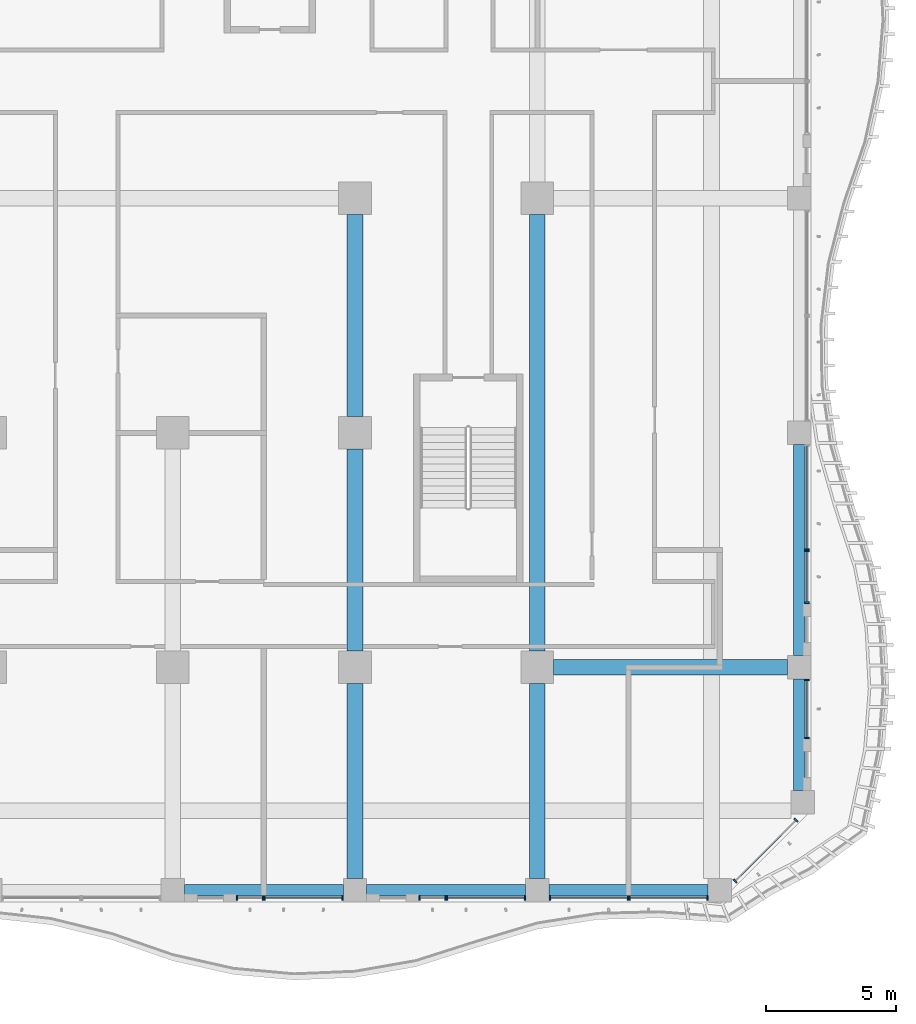
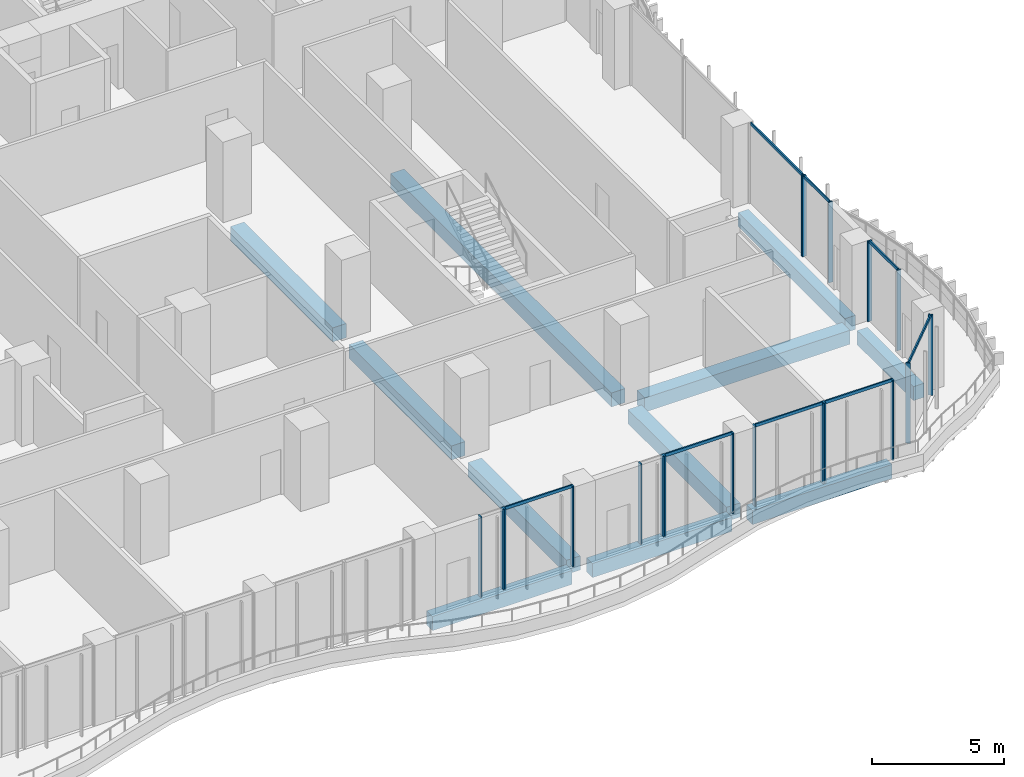
# One storey, part 6 of 28: 27 members, 11 beams, 10 elements without a shape of their own.
"""IFC4 building model written with IfcOpenShell, lengths in metres."""

from ifc_helpers import new_model, si_unit, direction, frame, origin, origin_2d, place, context, subcontext, project, spatial, rectangle, extrude, source, transform, mapped, material, material_profile, profile_set, type_object, element, aggregate, save


model = new_model("IFC4")

# Units and contexts
model_context = context("Model", 3, precision=1e-05, world=origin(), true_north=direction((0.0, 1.0)))
body_context = subcontext(model_context, "Body", "Model", "MODEL_VIEW")
ifc_project = project(units=[si_unit("LENGTHUNIT", "METRE"), si_unit("AREAUNIT", "SQUARE_METRE"), si_unit("VOLUMEUNIT", "CUBIC_METRE"), si_unit("PLANEANGLEUNIT", "RADIAN"), si_unit("MASSUNIT", "GRAM", prefix="KILO")], contexts=[model_context])

# Site, building, storey
site_placement = place(None, origin())
site = spatial("IfcSite", under=ifc_project, at=site_placement, CompositionType="ELEMENT")
building_placement = place(site_placement, origin())
building = spatial("IfcBuilding", under=site, at=building_placement, Name="Kilnfold Tower and Market Hall", CompositionType="ELEMENT")
storey_placement = place(building_placement, frame((0.0, 0.0, 75.199951171875)))
storey = spatial("IfcBuildingStorey", under=building, at=storey_placement, Name="L17", CompositionType="ELEMENT", Elevation=75.199951171875)

# Beams
ifc_material_1 = material(Name="Concrete C45", Category="concrete")
ifc_material_profile_1 = material_profile(ifc_material_1, rectangle(XDim=0.449951171875, YDim=0.64990234375, at=origin_2d()), Name="RC 450x650")
ifc_profile_set_1 = profile_set([ifc_material_profile_1], Name="Concrete C45")
beam_type_1 = type_object("IfcBeamType", Name="EDGE BEAM 450X650 C45", PredefinedType="BEAM", material=ifc_profile_set_1)
shared_shape_1 = source(origin(), body_context, "Body", "SweptSolid", [
    extrude(rectangle(XDim=0.449951171875, YDim=0.64990234375, at=origin_2d()), origin(), (0.0, 0.0, 1.0), 6.10009765625),
])
for number, where, z_axis, x_axis, name in (
    (1, (8.949951171875, -27.550048828125, -0.60498046875), (1.0, 0.0, 0.0), (0.0, 1.0, 0.0), "Beam EB650-B2.64"),
    (2, (15.949951171875, -27.550048828125, -0.60498046875), (1.0, 0.0, 0.0), (0.0, 1.0, 0.0), "Beam EB650-B2.65"),
    (3, (22.949951171875, -27.550048828125, -0.60498046875), (1.0, 0.0, 0.0), (0.0, 1.0, 0.0), "Beam EB650-B2.66"),
):
    element("IfcBeam", number, at=place(storey_placement, frame(where, z_axis=z_axis, x_axis=x_axis)), inside=storey, type_object=beam_type_1, Name=name, PredefinedType="BEAM", context=body_context, shape_type="MappedRepresentation", body=[
        mapped(shared_shape_1, transform((0.0, 0.0, 0.0))),
    ])
shared_shape_2 = source(origin(), body_context, "Body", "SweptSolid", [
    extrude(rectangle(XDim=0.449951171875, YDim=0.64990234375, at=origin_2d()), origin(), (0.0, 0.0, 1.0), 8.10009765625),
])
beam_1_placement = place(storey_placement, frame((32.550048828125, -18.550048828125, -0.60498046875), z_axis=(0.0, 1.0, 0.0), x_axis=(-1.0, 0.0, 0.0)))
element("IfcBeam", 4, at=beam_1_placement, inside=storey, type_object=beam_type_1, Name="Beam EB650-B2.100", PredefinedType="BEAM", context=body_context, shape_type="MappedRepresentation", body=[
    mapped(shared_shape_2, transform((0.0, 0.0, 0.0))),
])
shared_shape_3 = source(origin(), body_context, "Body", "SweptSolid", [
    extrude(rectangle(XDim=0.449951171875, YDim=0.64990234375, at=origin_2d()), origin(), (0.0, 0.0, 1.0), 4.28173828125),
])
beam_2_placement = place(storey_placement, frame((32.550048828125, -23.731689453125, -0.60498046875), z_axis=(0.0, 1.0, 0.0), x_axis=(-1.0, 0.0, 0.0)))
element("IfcBeam", 5, at=beam_2_placement, inside=storey, type_object=beam_type_1, Name="Beam EB650-B2.99", PredefinedType="BEAM", context=body_context, shape_type="MappedRepresentation", body=[
    mapped(shared_shape_3, transform((0.0, 0.0, 0.0))),
])
ifc_material_2 = material(Name="Concrete C45", Category="concrete")
ifc_material_profile_2 = material_profile(ifc_material_2, rectangle(XDim=0.60009765625, YDim=0.64990234375, at=origin_2d()), Name="RC 600x650")
ifc_profile_set_2 = profile_set([ifc_material_profile_2], Name="Concrete C45")
beam_type_2 = type_object("IfcBeamType", Name="BEAM 600X650 C45", PredefinedType="BEAM", material=ifc_profile_set_2)
shared_shape_4 = source(origin(), body_context, "Body", "SweptSolid", [
    extrude(rectangle(XDim=0.60009765625, YDim=0.64990234375, at=origin_2d()), origin(), (0.0, 0.0, 1.0), 8.97509765625),
])
beam_3_placement = place(storey_placement, frame((23.125, -19.0, -0.60498046875), z_axis=(1.0, 0.0, 0.0), x_axis=(0.0, 1.0, 0.0)))
element("IfcBeam", 6, at=beam_3_placement, inside=storey, type_object=beam_type_2, Name="Beam BB650-B2.69", PredefinedType="BEAM", context=body_context, shape_type="MappedRepresentation", body=[
    mapped(shared_shape_4, transform((0.0, 0.0, 0.0))),
])
shared_shape_5 = source(origin(), body_context, "Body", "SweptSolid", [
    extrude(rectangle(XDim=0.60009765625, YDim=0.64990234375, at=origin_2d()), origin(), (0.0, 0.0, 1.0), 7.47509765625),
])
for number, where, z_axis, x_axis, name in (
    (7, (15.5, -27.10009765625, -0.60498046875), (0.0, 1.0, 0.0), (-1.0, 0.0, 0.0), "Beam BB650-B2.91"),
    (8, (22.5, -27.10009765625, -0.60498046875), (0.0, 1.0, 0.0), (-1.0, 0.0, 0.0), "Beam BB650-B2.94"),
):
    element("IfcBeam", number, at=place(storey_placement, frame(where, z_axis=z_axis, x_axis=x_axis)), inside=storey, type_object=beam_type_2, Name=name, PredefinedType="BEAM", context=body_context, shape_type="MappedRepresentation", body=[
        mapped(shared_shape_5, transform((0.0, 0.0, 0.0))),
    ])
shared_shape_6 = source(origin(), body_context, "Body", "SweptSolid", [
    extrude(rectangle(XDim=0.60009765625, YDim=0.64990234375, at=origin_2d()), origin(), (0.0, 0.0, 1.0), 7.75),
])
for number, where, z_axis, x_axis, name in (
    (9, (15.5, -18.375, -0.60498046875), (0.0, 1.0, 0.0), (-1.0, 0.0, 0.0), "Beam BB650-B2.92"),
    (10, (15.5, -9.375, -0.60498046875), (0.0, 1.0, 0.0), (-1.0, 0.0, 0.0), "Beam BB650-B2.93"),
):
    element("IfcBeam", number, at=place(storey_placement, frame(where, z_axis=z_axis, x_axis=x_axis)), inside=storey, type_object=beam_type_2, Name=name, PredefinedType="BEAM", context=body_context, shape_type="MappedRepresentation", body=[
        mapped(shared_shape_6, transform((0.0, 0.0, 0.0))),
    ])
shared_shape_7 = source(origin(), body_context, "Body", "SweptSolid", [
    extrude(rectangle(XDim=0.60009765625, YDim=0.64990234375, at=origin_2d()), origin(), (0.0, 0.0, 1.0), 16.75),
])
beam_4_placement = place(storey_placement, frame((22.5, -18.375, -0.60498046875), z_axis=(0.0, 1.0, 0.0), x_axis=(-1.0, 0.0, 0.0)))
element("IfcBeam", 11, at=beam_4_placement, inside=storey, type_object=beam_type_2, Name="Beam BB650-B2.95", PredefinedType="BEAM", context=body_context, shape_type="MappedRepresentation", body=[
    mapped(shared_shape_7, transform((0.0, 0.0, 0.0))),
])

# Curtain wall, members
ifc_material_3 = material(Name="Aluminium and double glazing", Category="aluminium")
curtain_wall_type = type_object("IfcCurtainWallType", Name="CW OF1 VALLEY GLAZING", PredefinedType="NOTDEFINED", material=ifc_material_3)
curtain_wall_1_placement = place(storey_placement, origin())
curtain_wall_1 = element("IfcCurtainWall", 12, at=curtain_wall_1_placement, inside=storey, type_object=curtain_wall_type, Name="Curtain wall CW1 L17 S", PredefinedType="NOTDEFINED")
ifc_material_4 = material(Name="Aluminium", Category="aluminium")
ifc_material_profile_3 = material_profile(ifc_material_4, rectangle(XDim=0.06005859375, YDim=0.179931640625, at=origin_2d()), Name="MULLION 60x180")
ifc_profile_set_3 = profile_set([ifc_material_profile_3], Name="Aluminium")
member_type_1 = type_object("IfcMemberType", Name="MULLION 60X180", PredefinedType="MULLION", material=ifc_profile_set_3)
shared_shape_8 = source(origin(), body_context, "Body", "SweptSolid", [
    extrude(rectangle(XDim=0.06005859375, YDim=0.179931640625, at=origin_2d()), origin(), (0.0, 0.0, 1.0), 3.719970703125),
])
member_1_placement = place(storey_placement, frame((10.97998046875, -27.85009765625, 0.0), z_axis=(0.0, 0.0, 1.0), x_axis=(1.0, 0.0, 0.0)))
member_1 = element("IfcMember", 13, at=member_1_placement, type_object=member_type_1, Name="CW1 mullion 1", PredefinedType="MULLION", context=body_context, shape_type="MappedRepresentation", body=[
    mapped(shared_shape_8, transform((0.0, 0.0, 0.0))),
])
member_2_placement = place(storey_placement, frame((11.969970703125, -27.85009765625, 0.0), z_axis=(0.0, 0.0, 1.0), x_axis=(1.0, 0.0, 0.0)))
member_2 = element("IfcMember", 14, at=member_2_placement, type_object=member_type_1, Name="CW1 mullion 2", PredefinedType="MULLION", context=body_context, shape_type="MappedRepresentation", body=[
    mapped(shared_shape_8, transform((0.0, 0.0, 0.0))),
])
aggregate(curtain_wall_1, [member_1, member_2])

curtain_wall_2_placement = place(storey_placement, origin())
curtain_wall_2 = element("IfcCurtainWall", 15, at=curtain_wall_2_placement, inside=storey, type_object=curtain_wall_type, Name="Curtain wall CW1 L17 S", PredefinedType="NOTDEFINED")
member_3_placement = place(storey_placement, frame((12.030029296875, -27.85009765625, 0.0), z_axis=(0.0, 0.0, 1.0), x_axis=(1.0, 0.0, 0.0)))
member_3 = element("IfcMember", 16, at=member_3_placement, type_object=member_type_1, Name="CW1 mullion 1", PredefinedType="MULLION", context=body_context, shape_type="MappedRepresentation", body=[
    mapped(shared_shape_8, transform((0.0, 0.0, 0.0))),
])
member_4_placement = place(storey_placement, frame((15.02001953125, -27.85009765625, 0.0), z_axis=(0.0, 0.0, 1.0), x_axis=(1.0, 0.0, 0.0)))
member_4 = element("IfcMember", 17, at=member_4_placement, type_object=member_type_1, Name="CW1 mullion 2", PredefinedType="MULLION", context=body_context, shape_type="MappedRepresentation", body=[
    mapped(shared_shape_8, transform((0.0, 0.0, 0.0))),
])

curtain_wall_3_placement = place(storey_placement, origin())
curtain_wall_3 = element("IfcCurtainWall", 18, at=curtain_wall_3_placement, inside=storey, type_object=curtain_wall_type, Name="Curtain wall CW1 L17 S", PredefinedType="NOTDEFINED")
member_5_placement = place(storey_placement, frame((17.97998046875, -27.85009765625, 0.0), z_axis=(0.0, 0.0, 1.0), x_axis=(1.0, 0.0, 0.0)))
member_5 = element("IfcMember", 19, at=member_5_placement, type_object=member_type_1, Name="CW1 mullion 1", PredefinedType="MULLION", context=body_context, shape_type="MappedRepresentation", body=[
    mapped(shared_shape_8, transform((0.0, 0.0, 0.0))),
])
member_6_placement = place(storey_placement, frame((18.969970703125, -27.85009765625, 0.0), z_axis=(0.0, 0.0, 1.0), x_axis=(1.0, 0.0, 0.0)))
member_6 = element("IfcMember", 20, at=member_6_placement, type_object=member_type_1, Name="CW1 mullion 2", PredefinedType="MULLION", context=body_context, shape_type="MappedRepresentation", body=[
    mapped(shared_shape_8, transform((0.0, 0.0, 0.0))),
])
aggregate(curtain_wall_3, [member_5, member_6])

curtain_wall_4_placement = place(storey_placement, origin())
curtain_wall_4 = element("IfcCurtainWall", 21, at=curtain_wall_4_placement, inside=storey, type_object=curtain_wall_type, Name="Curtain wall CW1 L17 S", PredefinedType="NOTDEFINED")
member_7_placement = place(storey_placement, frame((19.030029296875, -27.85009765625, 0.0), z_axis=(0.0, 0.0, 1.0), x_axis=(1.0, 0.0, 0.0)))
member_7 = element("IfcMember", 22, at=member_7_placement, type_object=member_type_1, Name="CW1 mullion 1", PredefinedType="MULLION", context=body_context, shape_type="MappedRepresentation", body=[
    mapped(shared_shape_8, transform((0.0, 0.0, 0.0))),
])
member_8_placement = place(storey_placement, frame((22.02001953125, -27.85009765625, 0.0), z_axis=(0.0, 0.0, 1.0), x_axis=(1.0, 0.0, 0.0)))
member_8 = element("IfcMember", 23, at=member_8_placement, type_object=member_type_1, Name="CW1 mullion 2", PredefinedType="MULLION", context=body_context, shape_type="MappedRepresentation", body=[
    mapped(shared_shape_8, transform((0.0, 0.0, 0.0))),
])

curtain_wall_5_placement = place(storey_placement, origin())
curtain_wall_5 = element("IfcCurtainWall", 24, at=curtain_wall_5_placement, inside=storey, type_object=curtain_wall_type, Name="Curtain wall CW1 L17 S", PredefinedType="NOTDEFINED")
member_9_placement = place(storey_placement, frame((22.97998046875, -27.85009765625, 0.0), z_axis=(0.0, 0.0, 1.0), x_axis=(1.0, 0.0, 0.0)))
member_9 = element("IfcMember", 25, at=member_9_placement, type_object=member_type_1, Name="CW1 mullion 1", PredefinedType="MULLION", context=body_context, shape_type="MappedRepresentation", body=[
    mapped(shared_shape_8, transform((0.0, 0.0, 0.0))),
])
member_10_placement = place(storey_placement, frame((25.969970703125, -27.85009765625, 0.0), z_axis=(0.0, 0.0, 1.0), x_axis=(1.0, 0.0, 0.0)))
member_10 = element("IfcMember", 26, at=member_10_placement, type_object=member_type_1, Name="CW1 mullion 2", PredefinedType="MULLION", context=body_context, shape_type="MappedRepresentation", body=[
    mapped(shared_shape_8, transform((0.0, 0.0, 0.0))),
])

curtain_wall_6_placement = place(storey_placement, origin())
curtain_wall_6 = element("IfcCurtainWall", 27, at=curtain_wall_6_placement, inside=storey, type_object=curtain_wall_type, Name="Curtain wall CW1 L17 S", PredefinedType="NOTDEFINED")
member_11_placement = place(storey_placement, frame((26.030029296875, -27.85009765625, 0.0), z_axis=(0.0, 0.0, 1.0), x_axis=(1.0, 0.0, 0.0)))
member_11 = element("IfcMember", 28, at=member_11_placement, type_object=member_type_1, Name="CW1 mullion 1", PredefinedType="MULLION", context=body_context, shape_type="MappedRepresentation", body=[
    mapped(shared_shape_8, transform((0.0, 0.0, 0.0))),
])
member_12_placement = place(storey_placement, frame((29.02001953125, -27.85009765625, 0.0), z_axis=(0.0, 0.0, 1.0), x_axis=(1.0, 0.0, 0.0)))
member_12 = element("IfcMember", 29, at=member_12_placement, type_object=member_type_1, Name="CW1 mullion 2", PredefinedType="MULLION", context=body_context, shape_type="MappedRepresentation", body=[
    mapped(shared_shape_8, transform((0.0, 0.0, 0.0))),
])

curtain_wall_7_placement = place(storey_placement, origin())
curtain_wall_7 = element("IfcCurtainWall", 30, at=curtain_wall_7_placement, inside=storey, type_object=curtain_wall_type, Name="Curtain wall CW1 L17 SE", PredefinedType="NOTDEFINED")
member_13_placement = place(storey_placement, frame((30.090087890625, -27.19775390625, 0.0), z_axis=(0.0, 0.0, 1.0), x_axis=(0.707121667181, 0.707091894879, 0.0)))
member_13 = element("IfcMember", 31, at=member_13_placement, type_object=member_type_1, Name="CW1 mullion 1", PredefinedType="MULLION", context=body_context, shape_type="MappedRepresentation", body=[
    mapped(shared_shape_8, transform((0.0, 0.0, 0.0))),
])
member_14_placement = place(storey_placement, frame((32.4228515625, -24.865234375, 0.0), z_axis=(0.0, 0.0, 1.0), x_axis=(0.707121667181, 0.707091894879, 0.0)))
member_14 = element("IfcMember", 32, at=member_14_placement, type_object=member_type_1, Name="CW1 mullion 2", PredefinedType="MULLION", context=body_context, shape_type="MappedRepresentation", body=[
    mapped(shared_shape_8, transform((0.0, 0.0, 0.0))),
])

curtain_wall_8_placement = place(storey_placement, origin())
curtain_wall_8 = element("IfcCurtainWall", 33, at=curtain_wall_8_placement, inside=storey, type_object=curtain_wall_type, Name="Curtain wall CW1 L17 E", PredefinedType="NOTDEFINED")
member_15_placement = place(storey_placement, frame((32.85009765625, -21.701904296875, 0.0), z_axis=(0.0, 0.0, 1.0), x_axis=(0.0, 1.0, 0.0)))
member_15 = element("IfcMember", 34, at=member_15_placement, type_object=member_type_1, Name="CW1 mullion 1", PredefinedType="MULLION", context=body_context, shape_type="MappedRepresentation", body=[
    mapped(shared_shape_8, transform((0.0, 0.0, 0.0))),
])
member_16_placement = place(storey_placement, frame((32.85009765625, -19.47998046875, 0.0), z_axis=(0.0, 0.0, 1.0), x_axis=(0.0, 1.0, 0.0)))
member_16 = element("IfcMember", 35, at=member_16_placement, type_object=member_type_1, Name="CW1 mullion 2", PredefinedType="MULLION", context=body_context, shape_type="MappedRepresentation", body=[
    mapped(shared_shape_8, transform((0.0, 0.0, 0.0))),
])

curtain_wall_9_placement = place(storey_placement, origin())
curtain_wall_9 = element("IfcCurtainWall", 36, at=curtain_wall_9_placement, inside=storey, type_object=curtain_wall_type, Name="Curtain wall CW1 L17 E", PredefinedType="NOTDEFINED")
member_17_placement = place(storey_placement, frame((32.85009765625, -16.52001953125, 0.0), z_axis=(0.0, 0.0, 1.0), x_axis=(0.0, 1.0, 0.0)))
member_17 = element("IfcMember", 37, at=member_17_placement, type_object=member_type_1, Name="CW1 mullion 1", PredefinedType="MULLION", context=body_context, shape_type="MappedRepresentation", body=[
    mapped(shared_shape_8, transform((0.0, 0.0, 0.0))),
])
member_18_placement = place(storey_placement, frame((32.85009765625, -14.530029296875, 0.0), z_axis=(0.0, 0.0, 1.0), x_axis=(0.0, 1.0, 0.0)))
member_18 = element("IfcMember", 38, at=member_18_placement, type_object=member_type_1, Name="CW1 mullion 2", PredefinedType="MULLION", context=body_context, shape_type="MappedRepresentation", body=[
    mapped(shared_shape_8, transform((0.0, 0.0, 0.0))),
])

# Curtain wall, member
curtain_wall_10_placement = place(storey_placement, origin())
curtain_wall_10 = element("IfcCurtainWall", 39, at=curtain_wall_10_placement, inside=storey, type_object=curtain_wall_type, Name="Curtain wall CW1 L17 E", PredefinedType="NOTDEFINED")
member_19_placement = place(storey_placement, frame((32.85009765625, -14.469970703125, 0.0), z_axis=(0.0, 0.0, 1.0), x_axis=(0.0, 1.0, 0.0)))
member_19 = element("IfcMember", 40, at=member_19_placement, type_object=member_type_1, Name="CW1 mullion 1", PredefinedType="MULLION", context=body_context, shape_type="MappedRepresentation", body=[
    mapped(shared_shape_8, transform((0.0, 0.0, 0.0))),
])

# Member
ifc_material_5 = material(Name="Aluminium", Category="aluminium")
ifc_material_profile_4 = material_profile(ifc_material_5, rectangle(XDim=0.06005859375, YDim=0.139892578125, at=origin_2d()), Name="TRANSOM 60x140")
ifc_profile_set_4 = profile_set([ifc_material_profile_4], Name="Aluminium")
member_type_2 = type_object("IfcMemberType", Name="TRANSOM 60X140", PredefinedType="USERDEFINED", material=ifc_profile_set_4)
shared_shape_9 = source(origin(), body_context, "Body", "SweptSolid", [
    extrude(rectangle(XDim=0.06005859375, YDim=0.139892578125, at=origin_2d()), origin(), (0.0, 0.0, 1.0), 2.929931640625),
])
member_20_placement = place(storey_placement, frame((12.06005859375, -27.85009765625, 3.68994140625), z_axis=(1.0, 0.0, 0.0), x_axis=(0.0, 1.0, 0.0)))
member_20 = element("IfcMember", 41, at=member_20_placement, type_object=member_type_2, Name="CW1 transom 1.2", ObjectType="TRANSOM", PredefinedType="USERDEFINED", context=body_context, shape_type="MappedRepresentation", body=[
    mapped(shared_shape_9, transform((0.0, 0.0, 0.0))),
])

aggregate(curtain_wall_2, [member_3, member_4, member_20])

member_21_placement = place(storey_placement, frame((19.06005859375, -27.85009765625, 3.68994140625), z_axis=(1.0, 0.0, 0.0), x_axis=(0.0, 1.0, 0.0)))
member_21 = element("IfcMember", 42, at=member_21_placement, type_object=member_type_2, Name="CW1 transom 1.2", ObjectType="TRANSOM", PredefinedType="USERDEFINED", context=body_context, shape_type="MappedRepresentation", body=[
    mapped(shared_shape_9, transform((0.0, 0.0, 0.0))),
])

aggregate(curtain_wall_4, [member_7, member_8, member_21])

member_22_placement = place(storey_placement, frame((23.010009765625, -27.85009765625, 3.68994140625), z_axis=(1.0, 0.0, 0.0), x_axis=(0.0, 1.0, 0.0)))
member_22 = element("IfcMember", 43, at=member_22_placement, type_object=member_type_2, Name="CW1 transom 1.2", ObjectType="TRANSOM", PredefinedType="USERDEFINED", context=body_context, shape_type="MappedRepresentation", body=[
    mapped(shared_shape_9, transform((0.0, 0.0, 0.0))),
])

aggregate(curtain_wall_5, [member_9, member_10, member_22])

member_23_placement = place(storey_placement, frame((26.06005859375, -27.85009765625, 3.68994140625), z_axis=(1.0, 0.0, 0.0), x_axis=(0.0, 1.0, 0.0)))
member_23 = element("IfcMember", 44, at=member_23_placement, type_object=member_type_2, Name="CW1 transom 1.2", ObjectType="TRANSOM", PredefinedType="USERDEFINED", context=body_context, shape_type="MappedRepresentation", body=[
    mapped(shared_shape_9, transform((0.0, 0.0, 0.0))),
])

aggregate(curtain_wall_6, [member_11, member_12, member_23])

shared_shape_10 = source(origin(), body_context, "Body", "SweptSolid", [
    extrude(rectangle(XDim=0.06005859375, YDim=0.139892578125, at=origin_2d()), origin(), (0.0, 0.0, 1.0), 2.161865234375),
])
member_24_placement = place(storey_placement, frame((32.85009765625, -21.671875, 3.68994140625), z_axis=(0.0, 1.0, 0.0), x_axis=(-1.0, 0.0, 0.0)))
member_24 = element("IfcMember", 45, at=member_24_placement, type_object=member_type_2, Name="CW1 transom 1.2", ObjectType="TRANSOM", PredefinedType="USERDEFINED", context=body_context, shape_type="MappedRepresentation", body=[
    mapped(shared_shape_10, transform((0.0, 0.0, 0.0))),
])

aggregate(curtain_wall_8, [member_15, member_16, member_24])

shared_shape_11 = source(origin(), body_context, "Body", "SweptSolid", [
    extrude(rectangle(XDim=0.06005859375, YDim=0.139892578125, at=origin_2d()), origin(), (0.0, 0.0, 1.0), 3.929931640625),
])
member_25_placement = place(storey_placement, frame((32.85009765625, -14.43994140625, 3.68994140625), z_axis=(0.0, 1.0, 0.0), x_axis=(-1.0, 0.0, 0.0)))
member_25 = element("IfcMember", 46, at=member_25_placement, type_object=member_type_2, Name="CW1 transom 1.2", ObjectType="TRANSOM", PredefinedType="USERDEFINED", context=body_context, shape_type="MappedRepresentation", body=[
    mapped(shared_shape_11, transform((0.0, 0.0, 0.0))),
])

aggregate(curtain_wall_10, [member_19, member_25])

shared_shape_12 = source(origin(), body_context, "Body", "SweptSolid", [
    extrude(rectangle(XDim=0.06005859375, YDim=0.139892578125, at=origin_2d()), origin(), (0.0, 0.0, 1.0), 1.929931640625),
])
member_26_placement = place(storey_placement, frame((32.85009765625, -16.489990234375, 3.68994140625), z_axis=(0.0, 1.0, 0.0), x_axis=(-1.0, 0.0, 0.0)))
member_26 = element("IfcMember", 47, at=member_26_placement, type_object=member_type_2, Name="CW1 transom 1.2", ObjectType="TRANSOM", PredefinedType="USERDEFINED", context=body_context, shape_type="MappedRepresentation", body=[
    mapped(shared_shape_12, transform((0.0, 0.0, 0.0))),
])

aggregate(curtain_wall_9, [member_17, member_18, member_26])

shared_shape_13 = source(origin(), body_context, "Body", "SweptSolid", [
    extrude(rectangle(XDim=0.06005859375, YDim=0.139892578125, at=origin_2d()), origin(), (0.0, 0.0, 1.0), 3.239013671875),
])
member_27_placement = place(storey_placement, frame((30.111328125, -27.176513671875, 3.68994140625), z_axis=(0.707106781187, 0.707106781187, 0.0), x_axis=(-0.707106781187, 0.707106781187, 0.0)))
member_27 = element("IfcMember", 48, at=member_27_placement, type_object=member_type_2, Name="CW1 transom 1.2", ObjectType="TRANSOM", PredefinedType="USERDEFINED", context=body_context, shape_type="MappedRepresentation", body=[
    mapped(shared_shape_13, transform((0.0, 0.0, 0.0))),
])

aggregate(curtain_wall_7, [member_13, member_14, member_27])

save(model, "model.ifc")
